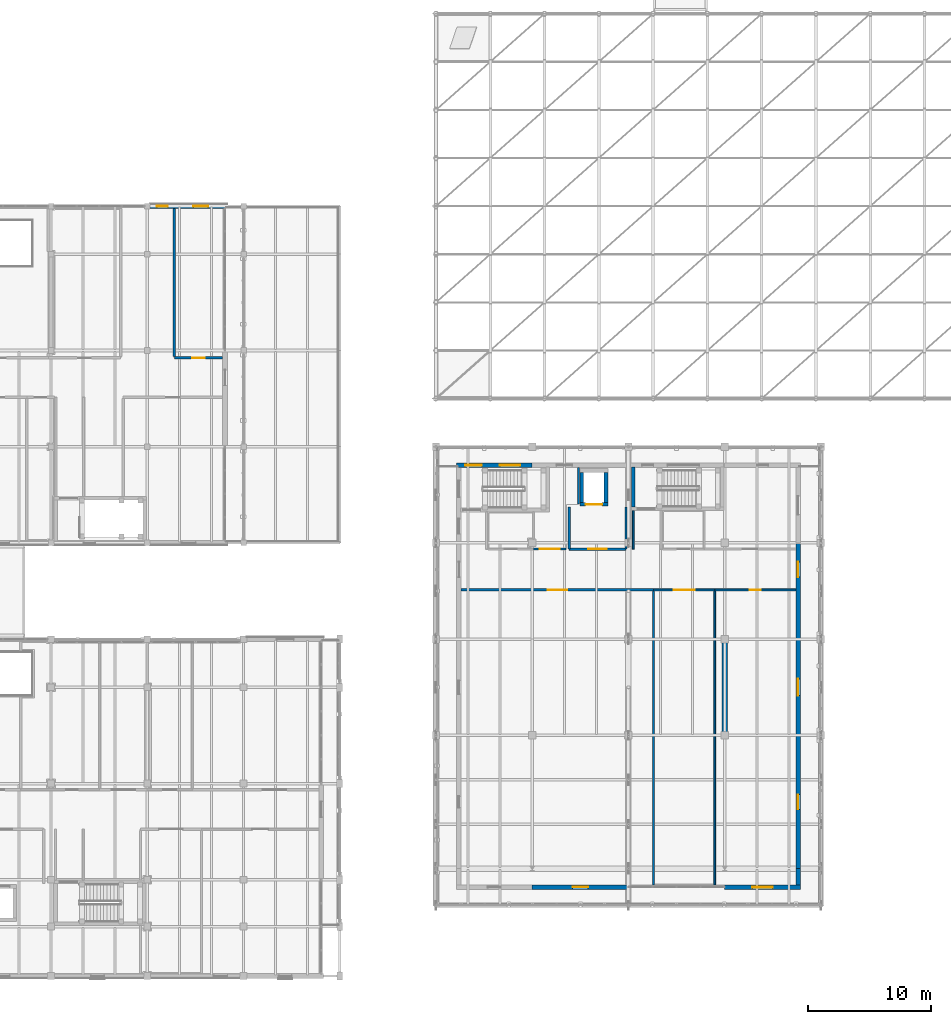
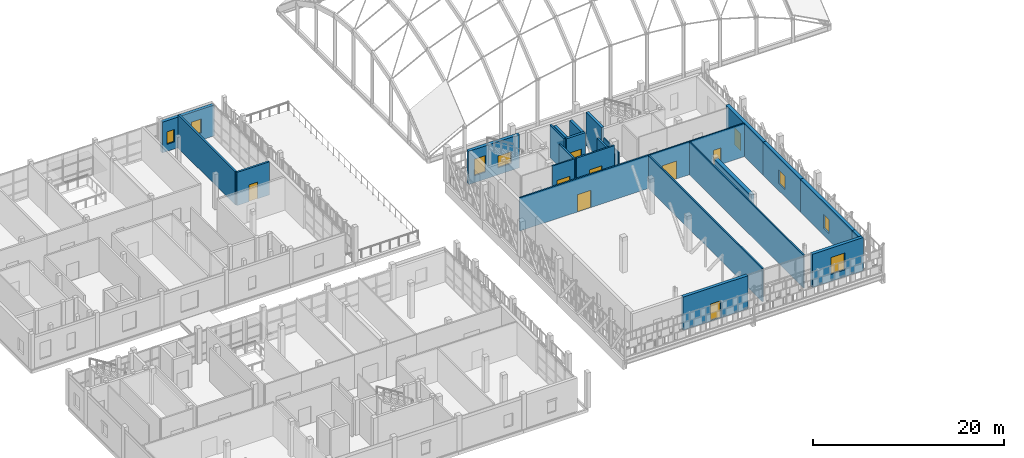
# One storey, part 95 of 119: 26 walls, 9 doors, 7 windows, 16 openings.
"""IFC4 building model written with IfcOpenShell, lengths in metres."""

from ifc_helpers import new_model, si_unit, direction, frame, frame_2d, origin, place, context, subcontext, project, spatial, rectangle, extrude, material, layer, layer_set, type_object, element, fill, save


model = new_model("IFC4")

# Units and contexts
model_context = context("Model", 3, precision=1e-05, world=origin(), true_north=direction((0.0, 1.0)))
body_context = subcontext(model_context, "Body", "Model", "MODEL_VIEW")
ifc_project = project(units=[si_unit("LENGTHUNIT", "METRE"), si_unit("AREAUNIT", "SQUARE_METRE"), si_unit("VOLUMEUNIT", "CUBIC_METRE"), si_unit("PLANEANGLEUNIT", "RADIAN"), si_unit("MASSUNIT", "GRAM", prefix="KILO")], contexts=[model_context])

# Site, building, storey
site_placement = place(None, origin())
site = spatial("IfcSite", under=ifc_project, at=site_placement, CompositionType="ELEMENT")
building_placement = place(site_placement, origin())
building = spatial("IfcBuilding", under=site, at=building_placement, Name="Celorna Specialist Clinic", CompositionType="ELEMENT")
storey_placement = place(building_placement, frame((0.0, 0.0, 9.60009765625)))
storey = spatial("IfcBuildingStorey", under=building, at=storey_placement, Name="L02", CompositionType="ELEMENT", Elevation=9.60009765625)

# Wall
ifc_material_1 = material(Name="Concrete C40/50", Category="concrete")
ifc_layer_1 = layer(ifc_material_1, 0.449951171875, Name="Concrete C40/50")
ifc_layer_set_1 = layer_set([ifc_layer_1], Name="Concrete C40/50")
wall_type_1 = type_object("IfcWallType", Name="WT-04", PredefinedType="SHEAR", material=ifc_layer_set_1)
wall_1_placement = place(storey_placement, frame((78.0, 19.64990234375, 0.0), z_axis=(0.0, 0.0, 1.0), x_axis=(0.0, 1.0, 0.0)))
element("IfcWall", 1, at=wall_1_placement, inside=storey, type_object=wall_type_1, Name="Structural RC shear wall WT-04 V6 L02", PredefinedType="SHEAR", context=body_context, shape_type="SweptSolid", body=[
    extrude(rectangle(XDim=7.5, YDim=0.449951171875, at=frame_2d((3.75, 0.0))), origin(), (0.0, 0.0, 1.0), 4.239990234375),
])

# Wall, openings, windows
ifc_material_2 = material(Name="Terracotta masonry with insulated cavity", Category="masonry")
ifc_layer_2 = layer(ifc_material_2, 0.3798828125, Name="Terracotta masonry with insulated cavity")
ifc_layer_set_2 = layer_set([ifc_layer_2], Name="Terracotta masonry with insulated cavity")
wall_type_2 = type_object("IfcWallType", Name="WT-06", PredefinedType="STANDARD", material=ifc_layer_set_2)
wall_2_placement = place(storey_placement, frame((31.425048828125, 62.39990234375, 0.0), z_axis=(0.0, 0.0, 1.0), x_axis=(1.0, 0.0, 0.0)))
wall_2 = element("IfcWall", 2, at=wall_2_placement, inside=storey, type_object=wall_type_2, Name="External facade wall WT-06 #135", PredefinedType="STANDARD", context=body_context, shape_type="SweptSolid", body=[
    extrude(rectangle(XDim=6.264892578125, YDim=0.3798828125, at=frame_2d((3.13232421875, 0.0))), origin(), (0.0, 0.0, 1.0), 3.9248046875),
])
opening_1_placement = place(wall_2_placement, frame((0.54248046875, 0.0, 0.89990234375)))
opening_1 = element("IfcOpeningElement", 3, at=opening_1_placement, cuts=wall_2, Name="Opening WN-01", PredefinedType="OPENING", context=body_context, shape_type="SweptSolid", body=[
    extrude(rectangle(XDim=0.89990234375, YDim=1.60009765625, at=frame_2d((0.449951171875, 0.800048828125))), frame((0.0, 0.199951171875, 0.0), z_axis=(0.0, -1.0, 0.0), x_axis=(1.0, 0.0, 0.0)), (0.0, 0.0, 1.0), 0.39990234375),
])
opening_2_placement = place(wall_2_placement, frame((3.5048828125, 0.0, 0.89990234375)))
opening_2 = element("IfcOpeningElement", 4, at=opening_2_placement, cuts=wall_2, Name="Opening WN-05", PredefinedType="OPENING", context=body_context, shape_type="SweptSolid", body=[
    extrude(rectangle(XDim=1.199951171875, YDim=1.800048828125, at=frame_2d((0.60009765625, 0.89990234375))), frame((0.0, 0.199951171875, 0.0), z_axis=(0.0, -1.0, 0.0), x_axis=(1.0, 0.0, 0.0)), (0.0, 0.0, 1.0), 0.39990234375),
])
ifc_material_3 = material(Name="Thermally broken aluminium triple-glazed window", Category="aluminium")
window_type_1 = type_object("IfcWindowType", Name="WN-01", PartitioningType="SINGLE_PANEL", PredefinedType="WINDOW", material=ifc_material_3)
window_1_placement = place(opening_1_placement, origin())
window_1 = element("IfcWindow", 5, at=window_1_placement, inside=storey, type_object=window_type_1, Name="Facade window WN-01 #45", OverallHeight=1.60009765625, OverallWidth=0.89990234375, PartitioningType="SINGLE_PANEL", PredefinedType="WINDOW", context=body_context, shape_type="SweptSolid", body=[
    extrude(rectangle(XDim=0.89990234375, YDim=1.60009765625, at=frame_2d((0.449951171875, 0.800048828125))), frame((0.0, 0.030029296875, 0.0), z_axis=(0.0, -1.0, 0.0), x_axis=(1.0, 0.0, 0.0)), (0.0, 0.0, 1.0), 0.06005859375),
])
fill(opening_1, window_1)
window_type_2 = type_object("IfcWindowType", Name="WN-05", PartitioningType="SINGLE_PANEL", PredefinedType="WINDOW", material=ifc_material_3)
window_2_placement = place(opening_2_placement, origin())
window_2 = element("IfcWindow", 6, at=window_2_placement, inside=storey, type_object=window_type_2, Name="Facade window WN-05 #46", OverallHeight=1.800048828125, OverallWidth=1.199951171875, PartitioningType="SINGLE_PANEL", PredefinedType="WINDOW", context=body_context, shape_type="SweptSolid", body=[
    extrude(rectangle(XDim=1.199951171875, YDim=1.800048828125, at=frame_2d((0.60009765625, 0.89990234375))), frame((0.0, 0.030029296875, 0.0), z_axis=(0.0, -1.0, 0.0), x_axis=(1.0, 0.0, 0.0)), (0.0, 0.0, 1.0), 0.06005859375),
])
fill(opening_2, window_2)

# Wall, opening, door
wall_3_placement = place(storey_placement, frame((70.199951171875, 7.199951171875, 0.0), z_axis=(0.0, 0.0, 1.0), x_axis=(-1.0, 0.0, 0.0)))
wall_3 = element("IfcWall", 7, at=wall_3_placement, inside=storey, type_object=wall_type_2, Name="External facade wall WT-06 #392", PredefinedType="STANDARD", context=body_context, shape_type="SweptSolid", body=[
    extrude(rectangle(XDim=7.800048828125, YDim=0.3798828125, at=frame_2d((3.89990234375, 0.0))), origin(), (0.0, 0.0, 1.0), 4.239990234375),
])
opening_3_placement = place(wall_3_placement, frame((3.27490234375, 0.0, 0.0)))
opening_3 = element("IfcOpeningElement", 8, at=opening_3_placement, cuts=wall_3, Name="Opening DR-13", PredefinedType="OPENING", context=body_context, shape_type="SweptSolid", body=[
    extrude(rectangle(XDim=1.25, YDim=2.199951171875, at=frame_2d((0.625, 1.10009765625))), frame((0.0, 0.199951171875, 0.0), z_axis=(0.0, -1.0, 0.0), x_axis=(1.0, 0.0, 0.0)), (0.0, 0.0, 1.0), 0.39990234375),
])
ifc_material_4 = material(Name="Thermally broken glazed terrace door")
door_type_1 = type_object("IfcDoorType", Name="DR-13", OperationType="NOTDEFINED", PredefinedType="DOOR", material=ifc_material_4)
door_1_placement = place(opening_3_placement, frame((1.25, 0.0, 0.0), z_axis=(0.0, 0.0, 1.0), x_axis=(-1.0, 0.0, 0.0)))
door_1 = element("IfcDoor", 9, at=door_1_placement, inside=storey, type_object=door_type_1, Name="Terrace access door TER-V6-L02", OperationType="SINGLE_SWING_RIGHT", OverallHeight=2.199951171875, OverallWidth=1.25, PredefinedType="DOOR", context=body_context, shape_type="SweptSolid", body=[
    extrude(rectangle(XDim=1.25, YDim=2.199951171875, at=frame_2d((0.625, 1.10009765625))), frame((0.0, 0.02490234375, 0.0), z_axis=(0.0, -1.0, 0.0), x_axis=(1.0, 0.0, 0.0)), (0.0, 0.0, 1.0), 0.050048828125),
])
fill(opening_3, door_1)

# Wall, opening, window
wall_4_placement = place(storey_placement, frame((84.139892578125, 7.199951171875, 0.0), z_axis=(0.0, 0.0, 1.0), x_axis=(-1.0, 0.0, 0.0)))
wall_4 = element("IfcWall", 10, at=wall_4_placement, inside=storey, type_object=wall_type_2, Name="External facade wall WT-06 #393", PredefinedType="STANDARD", context=body_context, shape_type="SweptSolid", body=[
    extrude(rectangle(XDim=6.139892578125, YDim=0.3798828125, at=frame_2d((3.06982421875, 0.0))), origin(), (0.0, 0.0, 1.0), 4.239990234375),
])
opening_4_placement = place(wall_4_placement, frame((2.2451171875, 0.0, 0.89990234375)))
opening_4 = element("IfcOpeningElement", 11, at=opening_4_placement, cuts=wall_4, Name="Opening WN-25", PredefinedType="OPENING", context=body_context, shape_type="SweptSolid", body=[
    extrude(rectangle(XDim=1.64990234375, YDim=2.14990234375, at=frame_2d((0.824951171875, 1.074951171875))), frame((0.0, 0.199951171875, 0.0), z_axis=(0.0, -1.0, 0.0), x_axis=(1.0, 0.0, 0.0)), (0.0, 0.0, 1.0), 0.39990234375),
])
window_type_3 = type_object("IfcWindowType", Name="WN-25", PartitioningType="SINGLE_PANEL", PredefinedType="WINDOW", material=ifc_material_3)
window_3_placement = place(opening_4_placement, origin())
window_3 = element("IfcWindow", 12, at=window_3_placement, inside=storey, type_object=window_type_3, Name="Facade window WN-25 #255", OverallHeight=2.14990234375, OverallWidth=1.64990234375, PartitioningType="SINGLE_PANEL", PredefinedType="WINDOW", context=body_context, shape_type="SweptSolid", body=[
    extrude(rectangle(XDim=1.64990234375, YDim=2.14990234375, at=frame_2d((0.824951171875, 1.074951171875))), frame((0.0, 0.030029296875, 0.0), z_axis=(0.0, -1.0, 0.0), x_axis=(1.0, 0.0, 0.0)), (0.0, 0.0, 1.0), 0.06005859375),
])
fill(opening_4, window_3)

# Wall, openings, windows
wall_5_placement = place(storey_placement, frame((56.260009765625, 41.39990234375, 0.0), z_axis=(0.0, 0.0, 1.0), x_axis=(1.0, 0.0, 0.0)))
wall_5 = element("IfcWall", 13, at=wall_5_placement, inside=storey, type_object=wall_type_2, Name="External facade wall WT-06 #394", PredefinedType="STANDARD", context=body_context, shape_type="SweptSolid", body=[
    extrude(rectangle(XDim=6.139892578125, YDim=0.3798828125, at=frame_2d((3.06982421875, 0.0))), origin(), (0.0, 0.0, 1.0), 4.239990234375),
])
opening_5_placement = place(wall_5_placement, frame((0.699951171875, 0.0, 0.89990234375)))
opening_5 = element("IfcOpeningElement", 14, at=opening_5_placement, cuts=wall_5, Name="Opening WN-23", PredefinedType="OPENING", context=body_context, shape_type="SweptSolid", body=[
    extrude(rectangle(XDim=1.35009765625, YDim=2.10009765625, at=frame_2d((0.675048828125, 1.050048828125))), frame((0.0, 0.199951171875, 0.0), z_axis=(0.0, -1.0, 0.0), x_axis=(1.0, 0.0, 0.0)), (0.0, 0.0, 1.0), 0.39990234375),
])
opening_6_placement = place(wall_5_placement, frame((3.514892578125, 0.0, 0.89990234375)))
opening_6 = element("IfcOpeningElement", 15, at=opening_6_placement, cuts=wall_5, Name="Opening WN-24", PredefinedType="OPENING", context=body_context, shape_type="SweptSolid", body=[
    extrude(rectangle(XDim=1.64990234375, YDim=1.5, at=frame_2d((0.824951171875, 0.75))), frame((0.0, 0.199951171875, 0.0), z_axis=(0.0, -1.0, 0.0), x_axis=(1.0, 0.0, 0.0)), (0.0, 0.0, 1.0), 0.39990234375),
])
window_type_4 = type_object("IfcWindowType", Name="WN-23", PartitioningType="SINGLE_PANEL", PredefinedType="WINDOW", material=ifc_material_3)
window_4_placement = place(opening_5_placement, origin())
window_4 = element("IfcWindow", 16, at=window_4_placement, inside=storey, type_object=window_type_4, Name="Facade window WN-23 #256", OverallHeight=2.10009765625, OverallWidth=1.35009765625, PartitioningType="SINGLE_PANEL", PredefinedType="WINDOW", context=body_context, shape_type="SweptSolid", body=[
    extrude(rectangle(XDim=1.35009765625, YDim=2.10009765625, at=frame_2d((0.675048828125, 1.050048828125))), frame((0.0, 0.030029296875, 0.0), z_axis=(0.0, -1.0, 0.0), x_axis=(1.0, 0.0, 0.0)), (0.0, 0.0, 1.0), 0.06005859375),
])
fill(opening_5, window_4)
window_type_5 = type_object("IfcWindowType", Name="WN-24", PartitioningType="SINGLE_PANEL", PredefinedType="WINDOW", material=ifc_material_3)
window_5_placement = place(opening_6_placement, origin())
window_5 = element("IfcWindow", 17, at=window_5_placement, inside=storey, type_object=window_type_5, Name="Facade window WN-24 #257", OverallHeight=1.5, OverallWidth=1.64990234375, PartitioningType="SINGLE_PANEL", PredefinedType="WINDOW", context=body_context, shape_type="SweptSolid", body=[
    extrude(rectangle(XDim=1.64990234375, YDim=1.5, at=frame_2d((0.824951171875, 0.75))), frame((0.0, 0.030029296875, 0.0), z_axis=(0.0, -1.0, 0.0), x_axis=(1.0, 0.0, 0.0)), (0.0, 0.0, 1.0), 0.06005859375),
])
fill(opening_6, window_5)

# Wall
wall_6_placement = place(storey_placement, frame((83.949951171875, 8.699951171875, 0.0), z_axis=(0.0, 0.0, 1.0), x_axis=(0.0, -1.0, 0.0)))
element("IfcWall", 18, at=wall_6_placement, inside=storey, type_object=wall_type_2, Name="External facade wall WT-06 #403", PredefinedType="STANDARD", context=body_context, shape_type="SweptSolid", body=[
    extrude(rectangle(XDim=1.31005859375, YDim=0.3798828125, at=frame_2d((0.655029296875, 0.0))), origin(), (0.0, 0.0, 1.0), 4.239990234375),
])

# Wall, opening, window
wall_7_placement = place(storey_placement, frame((83.949951171875, 19.5, 0.0), z_axis=(0.0, 0.0, 1.0), x_axis=(0.0, -1.0, 0.0)))
wall_7 = element("IfcWall", 19, at=wall_7_placement, inside=storey, type_object=wall_type_2, Name="External facade wall WT-06 #404", PredefinedType="STANDARD", context=body_context, shape_type="SweptSolid", body=[
    extrude(rectangle(XDim=10.800048828125, YDim=0.3798828125, at=frame_2d((5.39990234375, 0.0))), origin(), (0.0, 0.0, 1.0), 4.239990234375),
])
opening_7_placement = place(wall_7_placement, frame((4.800048828125, 0.0, 0.89990234375)))
opening_7 = element("IfcOpeningElement", 20, at=opening_7_placement, cuts=wall_7, Name="Opening WN-05", PredefinedType="OPENING", context=body_context, shape_type="SweptSolid", body=[
    extrude(rectangle(XDim=1.199951171875, YDim=1.800048828125, at=frame_2d((0.60009765625, 0.89990234375))), frame((0.0, 0.199951171875, 0.0), z_axis=(0.0, -1.0, 0.0), x_axis=(1.0, 0.0, 0.0)), (0.0, 0.0, 1.0), 0.39990234375),
])
window_6_placement = place(opening_7_placement, origin())
window_6 = element("IfcWindow", 21, at=window_6_placement, inside=storey, type_object=window_type_2, Name="Facade window WN-05 #265", OverallHeight=1.800048828125, OverallWidth=1.199951171875, PartitioningType="SINGLE_PANEL", PredefinedType="WINDOW", context=body_context, shape_type="SweptSolid", body=[
    extrude(rectangle(XDim=1.199951171875, YDim=1.800048828125, at=frame_2d((0.60009765625, 0.89990234375))), frame((0.0, 0.030029296875, 0.0), z_axis=(0.0, -1.0, 0.0), x_axis=(1.0, 0.0, 0.0)), (0.0, 0.0, 1.0), 0.06005859375),
])
fill(opening_7, window_6)

wall_8_placement = place(storey_placement, frame((83.949951171875, 27.300048828125, 0.0), z_axis=(0.0, 0.0, 1.0), x_axis=(0.0, -1.0, 0.0)))
wall_8 = element("IfcWall", 22, at=wall_8_placement, inside=storey, type_object=wall_type_2, Name="External facade wall WT-06 #405", PredefinedType="STANDARD", context=body_context, shape_type="SweptSolid", body=[
    extrude(rectangle(XDim=7.800048828125, YDim=0.3798828125, at=frame_2d((3.89990234375, 0.0))), origin(), (0.0, 0.0, 1.0), 4.239990234375),
])
opening_8_placement = place(wall_8_placement, frame((3.22509765625, 0.0, 0.89990234375)))
opening_8 = element("IfcOpeningElement", 23, at=opening_8_placement, cuts=wall_8, Name="Opening WN-07", PredefinedType="OPENING", context=body_context, shape_type="SweptSolid", body=[
    extrude(rectangle(XDim=1.35009765625, YDim=1.75, at=frame_2d((0.675048828125, 0.875))), frame((0.0, 0.199951171875, 0.0), z_axis=(0.0, -1.0, 0.0), x_axis=(1.0, 0.0, 0.0)), (0.0, 0.0, 1.0), 0.39990234375),
])
window_type_6 = type_object("IfcWindowType", Name="WN-07", PartitioningType="SINGLE_PANEL", PredefinedType="WINDOW", material=ifc_material_3)
window_7_placement = place(opening_8_placement, origin())
window_7 = element("IfcWindow", 24, at=window_7_placement, inside=storey, type_object=window_type_6, Name="Facade window WN-07 #266", OverallHeight=1.75, OverallWidth=1.35009765625, PartitioningType="SINGLE_PANEL", PredefinedType="WINDOW", context=body_context, shape_type="SweptSolid", body=[
    extrude(rectangle(XDim=1.35009765625, YDim=1.75, at=frame_2d((0.675048828125, 0.875))), frame((0.0, 0.030029296875, 0.0), z_axis=(0.0, -1.0, 0.0), x_axis=(1.0, 0.0, 0.0)), (0.0, 0.0, 1.0), 0.06005859375),
])
fill(opening_8, window_7)

# Wall, opening, door
wall_9_placement = place(storey_placement, frame((83.949951171875, 35.10009765625, 0.0), z_axis=(0.0, 0.0, 1.0), x_axis=(0.0, -1.0, 0.0)))
wall_9 = element("IfcWall", 25, at=wall_9_placement, inside=storey, type_object=wall_type_2, Name="External facade wall WT-06 #406", PredefinedType="STANDARD", context=body_context, shape_type="SweptSolid", body=[
    extrude(rectangle(XDim=7.800048828125, YDim=0.3798828125, at=frame_2d((3.89990234375, 0.0))), origin(), (0.0, 0.0, 1.0), 4.239990234375),
])
opening_9_placement = place(wall_9_placement, frame((1.52490234375, 0.0, 0.0)))
opening_9 = element("IfcOpeningElement", 26, at=opening_9_placement, cuts=wall_9, Name="Opening DR-13", PredefinedType="OPENING", context=body_context, shape_type="SweptSolid", body=[
    extrude(rectangle(XDim=1.25, YDim=2.199951171875, at=frame_2d((0.625, 1.10009765625))), frame((0.0, 0.199951171875, 0.0), z_axis=(0.0, -1.0, 0.0), x_axis=(1.0, 0.0, 0.0)), (0.0, 0.0, 1.0), 0.39990234375),
])
door_2_placement = place(opening_9_placement, frame((1.25, 0.0, 0.0), z_axis=(0.0, 0.0, 1.0), x_axis=(-1.0, 0.0, 0.0)))
door_2 = element("IfcDoor", 27, at=door_2_placement, inside=storey, type_object=door_type_1, Name="Veranda access door TER-V6-L02 east", OperationType="SINGLE_SWING_LEFT", OverallHeight=2.199951171875, OverallWidth=1.25, PredefinedType="DOOR", context=body_context, shape_type="SweptSolid", body=[
    extrude(rectangle(XDim=1.25, YDim=2.199951171875, at=frame_2d((0.625, 1.10009765625))), frame((0.0, 0.02490234375, 0.0), z_axis=(0.0, -1.0, 0.0), x_axis=(1.0, 0.0, 0.0)), (0.0, 0.0, 1.0), 0.050048828125),
])
fill(opening_9, door_2)

# Wall
ifc_material_5 = material(Name="Concrete C35/45", Category="concrete")
ifc_layer_3 = layer(ifc_material_5, 0.300048828125, Name="Concrete C35/45")
ifc_layer_set_3 = layer_set([ifc_layer_3], Name="Concrete C35/45")
wall_type_3 = type_object("IfcWallType", Name="WT-08", PredefinedType="SHEAR", material=ifc_layer_set_3)
wall_10_placement = place(storey_placement, frame((70.590087890625, 41.25, 0.0), z_axis=(0.0, 0.0, 1.0), x_axis=(0.0, -1.0, 0.0)))
element("IfcWall", 28, at=wall_10_placement, inside=storey, type_object=wall_type_3, Name="Stair ST-09 RC core wall L02 west", PredefinedType="SHEAR", context=body_context, shape_type="SweptSolid", body=[
    extrude(rectangle(XDim=3.22998046875, YDim=0.300048828125, at=frame_2d((1.614990234375, 0.0))), origin(), (0.0, 0.0, 1.0), 4.239990234375),
])

# Wall, opening, door
wall_11_placement = place(storey_placement, frame((66.27490234375, 38.22509765625, 0.0), z_axis=(0.0, 0.0, 1.0), x_axis=(1.0, 0.0, 0.0)))
wall_11 = element("IfcWall", 29, at=wall_11_placement, inside=storey, type_object=wall_type_3, Name="Lift LF-07 RC shaft wall L02", PredefinedType="SHEAR", context=body_context, shape_type="SweptSolid", body=[
    extrude(rectangle(XDim=2.25, YDim=0.300048828125, at=frame_2d((1.125, 0.0))), origin(), (0.0, 0.0, 1.0), 4.239990234375),
])
opening_10_placement = place(wall_11_placement, frame((0.449951171875, 0.0, 0.0)))
opening_10 = element("IfcOpeningElement", 30, at=opening_10_placement, cuts=wall_11, Name="Opening LD-02", PredefinedType="OPENING", context=body_context, shape_type="SweptSolid", body=[
    extrude(rectangle(XDim=1.35009765625, YDim=2.300048828125, at=frame_2d((0.675048828125, 1.14990234375))), frame((0.0, 0.159912109375, 0.0), z_axis=(0.0, -1.0, 0.0), x_axis=(1.0, 0.0, 0.0)), (0.0, 0.0, 1.0), 0.320068359375),
])
ifc_material_6 = material(Name="Firefighting stretcher lift landing sliding door")
door_type_2 = type_object("IfcDoorType", Name="LD-02", OperationType="DOUBLE_DOOR_SLIDING", PredefinedType="DOOR", material=ifc_material_6)
door_3_placement = place(opening_10_placement, origin())
door_3 = element("IfcDoor", 31, at=door_3_placement, inside=storey, type_object=door_type_2, Name="Lift LF-07 sliding landing door L02", OperationType="DOUBLE_DOOR_SLIDING", OverallHeight=2.300048828125, OverallWidth=1.35009765625, PredefinedType="DOOR", context=body_context, shape_type="SweptSolid", body=[
    extrude(rectangle(XDim=1.35009765625, YDim=2.300048828125, at=frame_2d((0.675048828125, 1.14990234375))), frame((0.0, 0.02490234375, 0.0), z_axis=(0.0, -1.0, 0.0), x_axis=(1.0, 0.0, 0.0)), (0.0, 0.0, 1.0), 0.050048828125),
])
fill(opening_10, door_3)

# Walls
for number, where, z_axis, x_axis, name in (
    (32, (66.425048828125, 40.824951171875, 0.0), (0.0, 0.0, 1.0), (0.0, -1.0, 0.0), "Lift LF-07 RC shaft wall L02"),
    (33, (68.375, 38.375, 0.0), (0.0, 0.0, 1.0), (0.0, 1.0, 0.0), "Lift LF-07 RC shaft wall L02"),
):
    element("IfcWall", number, at=place(storey_placement, frame(where, z_axis=z_axis, x_axis=x_axis)), inside=storey, type_object=wall_type_3, Name=name, PredefinedType="SHEAR", context=body_context, shape_type="SweptSolid", body=[
        extrude(rectangle(XDim=2.449951171875, YDim=0.300048828125, at=frame_2d((1.22509765625, 0.0))), origin(), (0.0, 0.0, 1.0), 4.239990234375),
    ])

# Wall, opening, door
ifc_material_7 = material(Name="Lead-lined gypsum and masonry partition", Category="masonry")
ifc_layer_4 = layer(ifc_material_7, 0.219970703125, Name="Lead-lined gypsum and masonry partition")
ifc_layer_set_4 = layer_set([ifc_layer_4], Name="Lead-lined gypsum and masonry partition")
wall_type_4 = type_object("IfcWallType", Name="WT-11", PredefinedType="PARTITIONING", material=ifc_layer_set_4)
wall_12_placement = place(storey_placement, frame((33.389892578125, 50.10009765625, 0.0), z_axis=(0.0, 0.0, 1.0), x_axis=(1.0, 0.0, 0.0)))
wall_12 = element("IfcWall", 34, at=wall_12_placement, inside=storey, type_object=wall_type_4, Name="Interior partition WT-11 L02-021", PredefinedType="PARTITIONING", context=body_context, shape_type="SweptSolid", body=[
    extrude(rectangle(XDim=3.920166015625, YDim=0.219970703125, at=frame_2d((1.9599609375, 0.0))), origin(), (0.0, 0.0, 1.0), 4.239990234375),
])
opening_11_placement = place(wall_12_placement, frame((1.43505859375, 0.0, 0.0)))
opening_11 = element("IfcOpeningElement", 35, at=opening_11_placement, cuts=wall_12, Name="Opening DR-05", PredefinedType="OPENING", context=body_context, shape_type="SweptSolid", body=[
    extrude(rectangle(XDim=1.050048828125, YDim=2.14990234375, at=frame_2d((0.52490234375, 1.074951171875))), frame((0.0, 0.119873046875, 0.0), z_axis=(0.0, -1.0, 0.0), x_axis=(1.0, 0.0, 0.0)), (0.0, 0.0, 1.0), 0.239990234375),
])
ifc_material_8 = material(Name="Timber examination room door", Category="wood")
door_type_3 = type_object("IfcDoorType", Name="DR-05", OperationType="NOTDEFINED", PredefinedType="DOOR", material=ifc_material_8)
door_4_placement = place(opening_11_placement, origin())
door_4 = element("IfcDoor", 36, at=door_4_placement, inside=storey, type_object=door_type_3, Name="Shielded Patient Uptake Bay door L02-021", OperationType="SINGLE_SWING_RIGHT", OverallHeight=2.14990234375, OverallWidth=1.050048828125, PredefinedType="DOOR", context=body_context, shape_type="SweptSolid", body=[
    extrude(rectangle(XDim=1.050048828125, YDim=2.14990234375, at=frame_2d((0.52490234375, 1.074951171875))), frame((0.0, 0.02490234375, 0.0), z_axis=(0.0, -1.0, 0.0), x_axis=(1.0, 0.0, 0.0)), (0.0, 0.0, 1.0), 0.050048828125),
])
fill(opening_11, door_4)

# Wall
wall_13_placement = place(storey_placement, frame((33.389892578125, 50.2099609375, 0.0), z_axis=(0.0, 0.0, 1.0), x_axis=(0.0, 1.0, 0.0)))
element("IfcWall", 37, at=wall_13_placement, inside=storey, type_object=wall_type_4, Name="Room dividing partition WT-11 L02-021", PredefinedType="PARTITIONING", context=body_context, shape_type="SweptSolid", body=[
    extrude(rectangle(XDim=12.0, YDim=0.219970703125, at=frame_2d((6.0, 0.0))), origin(), (0.0, 0.0, 1.0), 4.239990234375),
])

# Wall, opening, door
ifc_layer_5 = layer(ifc_material_5, 0.199951171875, Name="Concrete C35/45")
ifc_layer_set_5 = layer_set([ifc_layer_5], Name="Concrete C35/45")
wall_type_5 = type_object("IfcWallType", Name="WT-12", PredefinedType="SOLIDWALL", material=ifc_layer_set_5)
wall_14_placement = place(storey_placement, frame((65.39990234375, 34.60009765625, 0.0), z_axis=(0.0, 0.0, 1.0), x_axis=(1.0, 0.0, 0.0)))
wall_14 = element("IfcWall", 38, at=wall_14_placement, inside=storey, type_object=wall_type_5, Name="Firefighting lobby wall LF-07 L02", PredefinedType="SOLIDWALL", context=body_context, shape_type="SweptSolid", body=[
    extrude(rectangle(XDim=4.60009765625, YDim=0.199951171875, at=frame_2d((2.300048828125, 0.0))), origin(), (0.0, 0.0, 1.0), 4.239990234375),
])
opening_12_placement = place(wall_14_placement, frame((1.550048828125, 0.0, 0.0)))
opening_12 = element("IfcOpeningElement", 39, at=opening_12_placement, cuts=wall_14, Name="Opening DR-11", PredefinedType="OPENING", context=body_context, shape_type="SweptSolid", body=[
    extrude(rectangle(XDim=1.5, YDim=2.199951171875, at=frame_2d((0.75, 1.10009765625))), frame((0.0, 0.10986328125, 0.0), z_axis=(0.0, -1.0, 0.0), x_axis=(1.0, 0.0, 0.0)), (0.0, 0.0, 1.0), 0.219970703125),
])
ifc_material_9 = material(Name="Firefighting lobby double fire door")
door_type_4 = type_object("IfcDoorType", Name="DR-11", OperationType="DOUBLE_DOOR_SINGLE_SWING", PredefinedType="DOOR", material=ifc_material_9)
door_5_placement = place(opening_12_placement, origin())
door_5 = element("IfcDoor", 40, at=door_5_placement, inside=storey, type_object=door_type_4, Name="Firefighting lobby fire door LF-07 L02", OperationType="DOUBLE_DOOR_SINGLE_SWING", OverallHeight=2.199951171875, OverallWidth=1.5, PredefinedType="DOOR", context=body_context, shape_type="SweptSolid", body=[
    extrude(rectangle(XDim=1.5, YDim=2.199951171875, at=frame_2d((0.75, 1.10009765625))), frame((0.0, 0.02490234375, 0.0), z_axis=(0.0, -1.0, 0.0), x_axis=(1.0, 0.0, 0.0)), (0.0, 0.0, 1.0), 0.050048828125),
])
fill(opening_12, door_5)

# Walls
wall_15_placement = place(storey_placement, frame((65.39990234375, 38.0, 0.0), z_axis=(0.0, 0.0, 1.0), x_axis=(0.0, -1.0, 0.0)))
element("IfcWall", 41, at=wall_15_placement, inside=storey, type_object=wall_type_5, Name="Firefighting lobby wall LF-07 L02", PredefinedType="SOLIDWALL", context=body_context, shape_type="SweptSolid", body=[
    extrude(rectangle(XDim=3.39990234375, YDim=0.199951171875, at=frame_2d((1.699951171875, 0.0))), origin(), (0.0, 0.0, 1.0), 3.93994140625),
])
wall_16_placement = place(storey_placement, frame((70.0, 34.60009765625, 0.0), z_axis=(0.0, 0.0, 1.0), x_axis=(0.0, 1.0, 0.0)))
element("IfcWall", 42, at=wall_16_placement, inside=storey, type_object=wall_type_5, Name="Firefighting lobby wall LF-07 L02", PredefinedType="SOLIDWALL", context=body_context, shape_type="SweptSolid", body=[
    extrude(rectangle(XDim=3.39990234375, YDim=0.199951171875, at=frame_2d((1.699951171875, 0.0))), origin(), (0.0, 0.0, 1.0), 3.08984375),
])

# Wall, opening, door
ifc_material_10 = material(Name="Acoustic masonry clinical partition", Category="masonry")
ifc_layer_6 = layer(ifc_material_10, 0.179931640625, Name="Acoustic masonry clinical partition")
ifc_layer_set_6 = layer_set([ifc_layer_6], Name="Acoustic masonry clinical partition")
wall_type_6 = type_object("IfcWallType", Name="WT-13", PredefinedType="PARTITIONING", material=ifc_layer_set_6)
wall_17_placement = place(storey_placement, frame((72.239990234375, 31.300048828125, 0.0), z_axis=(0.0, 0.0, 1.0), x_axis=(-1.0, 0.0, 0.0)))
wall_17 = element("IfcWall", 43, at=wall_17_placement, inside=storey, type_object=wall_type_6, Name="Interior partition WT-13 L02-065", PredefinedType="PARTITIONING", context=body_context, shape_type="SweptSolid", body=[
    extrude(rectangle(XDim=15.60009765625, YDim=0.179931640625, at=frame_2d((7.800048828125, 0.0))), origin(), (0.0, 0.0, 1.0), 4.239990234375),
])
opening_13_placement = place(wall_17_placement, frame((7.0, 0.0, 0.0)))
opening_13 = element("IfcOpeningElement", 44, at=opening_13_placement, cuts=wall_17, Name="Opening DR-12", PredefinedType="OPENING", context=body_context, shape_type="SweptSolid", body=[
    extrude(rectangle(XDim=1.60009765625, YDim=2.199951171875, at=frame_2d((0.800048828125, 1.10009765625))), frame((0.0, 0.099853515625, 0.0), z_axis=(0.0, -1.0, 0.0), x_axis=(1.0, 0.0, 0.0)), (0.0, 0.0, 1.0), 0.199951171875),
])
ifc_material_11 = material(Name="Corridor cross-compartment pair door")
door_type_5 = type_object("IfcDoorType", Name="DR-12", OperationType="DOUBLE_DOOR_SINGLE_SWING", PredefinedType="DOOR", material=ifc_material_11)
door_6_placement = place(opening_13_placement, origin())
door_6 = element("IfcDoor", 45, at=door_6_placement, inside=storey, type_object=door_type_5, Name="Clinical Lecture Theatre door L02-065", OperationType="DOUBLE_DOOR_SINGLE_SWING", OverallHeight=2.199951171875, OverallWidth=1.60009765625, PredefinedType="DOOR", context=body_context, shape_type="SweptSolid", body=[
    extrude(rectangle(XDim=1.60009765625, YDim=2.199951171875, at=frame_2d((0.800048828125, 1.10009765625))), frame((0.0, 0.02490234375, 0.0), z_axis=(0.0, -1.0, 0.0), x_axis=(1.0, 0.0, 0.0)), (0.0, 0.0, 1.0), 0.050048828125),
])
fill(opening_13, door_6)

wall_18_placement = place(storey_placement, frame((62.489990234375, 34.60009765625, 0.0), z_axis=(0.0, 0.0, 1.0), x_axis=(1.0, 0.0, 0.0)))
wall_18 = element("IfcWall", 46, at=wall_18_placement, inside=storey, type_object=wall_type_6, Name="Interior partition WT-13 L02-069", PredefinedType="PARTITIONING", context=body_context, shape_type="SweptSolid", body=[
    extrude(rectangle(XDim=2.659912109375, YDim=0.179931640625, at=frame_2d((1.330078125, 0.0))), origin(), (0.0, 0.0, 1.0), 4.239990234375),
])
opening_14_placement = place(wall_18_placement, frame((0.52490234375, 0.0, 0.0)))
opening_14 = element("IfcOpeningElement", 47, at=opening_14_placement, cuts=wall_18, Name="Opening DR-12", PredefinedType="OPENING", context=body_context, shape_type="SweptSolid", body=[
    extrude(rectangle(XDim=1.60009765625, YDim=2.199951171875, at=frame_2d((0.800048828125, 1.10009765625))), frame((0.0, 0.099853515625, 0.0), z_axis=(0.0, -1.0, 0.0), x_axis=(1.0, 0.0, 0.0)), (0.0, 0.0, 1.0), 0.199951171875),
])
door_7_placement = place(opening_14_placement, origin())
door_7 = element("IfcDoor", 48, at=door_7_placement, inside=storey, type_object=door_type_5, Name="Clinical Lecture Theatre door L02-069", OperationType="DOUBLE_DOOR_SINGLE_SWING", OverallHeight=2.199951171875, OverallWidth=1.60009765625, PredefinedType="DOOR", context=body_context, shape_type="SweptSolid", body=[
    extrude(rectangle(XDim=1.60009765625, YDim=2.199951171875, at=frame_2d((0.800048828125, 1.10009765625))), frame((0.0, 0.02490234375, 0.0), z_axis=(0.0, -1.0, 0.0), x_axis=(1.0, 0.0, 0.0)), (0.0, 0.0, 1.0), 0.050048828125),
])
fill(opening_14, door_7)

# Walls
wall_19_placement = place(storey_placement, frame((72.239990234375, 7.389892578125, 0.0), z_axis=(0.0, 0.0, 1.0), x_axis=(0.0, 1.0, 0.0)))
element("IfcWall", 49, at=wall_19_placement, inside=storey, type_object=wall_type_6, Name="Room dividing partition WT-13 L02-065", PredefinedType="PARTITIONING", context=body_context, shape_type="SweptSolid", body=[
    extrude(rectangle(XDim=23.820068359375, YDim=0.179931640625, at=frame_2d((11.91015625, 0.0))), origin(), (0.0, 0.0, 1.0), 4.239990234375),
])
wall_20_placement = place(storey_placement, frame((66.139892578125, 38.25, 0.0), z_axis=(0.0, 0.0, 1.0), x_axis=(0.0, 1.0, 0.0)))
element("IfcWall", 50, at=wall_20_placement, inside=storey, type_object=wall_type_6, Name="Room dividing partition WT-13 L02-069", PredefinedType="PARTITIONING", context=body_context, shape_type="SweptSolid", body=[
    extrude(rectangle(XDim=2.9599609375, YDim=0.179931640625, at=frame_2d((1.47998046875, 0.0))), origin(), (0.0, 0.0, 1.0), 4.239990234375),
])
ifc_material_12 = material(Name="Fire-rated gypsum board partition")
ifc_layer_7 = layer(ifc_material_12, 0.14990234375, Name="Fire-rated gypsum board partition")
ifc_layer_set_7 = layer_set([ifc_layer_7], Name="Fire-rated gypsum board partition")
wall_type_7 = type_object("IfcWallType", Name="WT-14", PredefinedType="PARTITIONING", material=ifc_layer_set_7)
wall_21_placement = place(storey_placement, frame((70.590087890625, 34.60009765625, 0.0), z_axis=(0.0, 0.0, 1.0), x_axis=(0.0, 1.0, 0.0)))
element("IfcWall", 51, at=wall_21_placement, inside=storey, type_object=wall_type_7, Name="Corridor spur partition WT-14", PredefinedType="PARTITIONING", context=body_context, shape_type="SweptSolid", body=[
    extrude(rectangle(XDim=3.119873046875, YDim=0.14990234375, at=frame_2d((1.56005859375, 0.0))), origin(), (0.0, 0.0, 1.0), 3.08984375),
])

# Wall, opening, door
wall_22_placement = place(storey_placement, frame((77.18994140625, 31.300048828125, 0.0), z_axis=(0.0, 0.0, 1.0), x_axis=(-1.0, 0.0, 0.0)))
wall_22 = element("IfcWall", 52, at=wall_22_placement, inside=storey, type_object=wall_type_7, Name="Interior partition WT-14 L02-066", PredefinedType="PARTITIONING", context=body_context, shape_type="SweptSolid", body=[
    extrude(rectangle(XDim=4.949951171875, YDim=0.14990234375, at=frame_2d((2.47509765625, 0.0))), origin(), (0.0, 0.0, 1.0), 4.239990234375),
])
opening_15_placement = place(wall_22_placement, frame((1.614990234375, 0.0, 0.0)))
opening_15 = element("IfcOpeningElement", 53, at=opening_15_placement, cuts=wall_22, Name="Opening DR-24", PredefinedType="OPENING", context=body_context, shape_type="SweptSolid", body=[
    extrude(rectangle(XDim=1.719970703125, YDim=2.300048828125, at=frame_2d((0.85986328125, 1.14990234375))), frame((0.0, 0.0849609375, 0.0), z_axis=(0.0, -1.0, 0.0), x_axis=(1.0, 0.0, 0.0)), (0.0, 0.0, 1.0), 0.169921875),
])
ifc_material_13 = material(Name="Double leaf clinical waiting door")
door_type_6 = type_object("IfcDoorType", Name="DR-24", OperationType="DOUBLE_DOOR_SINGLE_SWING", PredefinedType="DOOR", material=ifc_material_13)
door_8_placement = place(opening_15_placement, origin())
door_8 = element("IfcDoor", 54, at=door_8_placement, inside=storey, type_object=door_type_6, Name="Surgical Simulation Laboratory door L02-066", OperationType="DOUBLE_DOOR_SINGLE_SWING", OverallHeight=2.300048828125, OverallWidth=1.719970703125, PredefinedType="DOOR", context=body_context, shape_type="SweptSolid", body=[
    extrude(rectangle(XDim=1.719970703125, YDim=2.300048828125, at=frame_2d((0.85986328125, 1.14990234375))), frame((0.0, 0.02490234375, 0.0), z_axis=(0.0, -1.0, 0.0), x_axis=(1.0, 0.0, 0.0)), (0.0, 0.0, 1.0), 0.050048828125),
])
fill(opening_15, door_8)

wall_23_placement = place(storey_placement, frame((83.760009765625, 31.300048828125, 0.0), z_axis=(0.0, 0.0, 1.0), x_axis=(-1.0, 0.0, 0.0)))
wall_23 = element("IfcWall", 55, at=wall_23_placement, inside=storey, type_object=wall_type_7, Name="Interior partition WT-14 L02-067", PredefinedType="PARTITIONING", context=body_context, shape_type="SweptSolid", body=[
    extrude(rectangle(XDim=6.570068359375, YDim=0.14990234375, at=frame_2d((3.28515625, 0.0))), origin(), (0.0, 0.0, 1.0), 4.239990234375),
])
opening_16_placement = place(wall_23_placement, frame((2.8349609375, 0.0, 0.0)))
opening_16 = element("IfcOpeningElement", 56, at=opening_16_placement, cuts=wall_23, Name="Opening DR-02", PredefinedType="OPENING", context=body_context, shape_type="SweptSolid", body=[
    extrude(rectangle(XDim=0.89990234375, YDim=2.10009765625, at=frame_2d((0.449951171875, 1.050048828125))), frame((0.0, 0.0849609375, 0.0), z_axis=(0.0, -1.0, 0.0), x_axis=(1.0, 0.0, 0.0)), (0.0, 0.0, 1.0), 0.169921875),
])
ifc_material_14 = material(Name="Timber acoustic clinical door", Category="wood")
door_type_7 = type_object("IfcDoorType", Name="DR-02", OperationType="NOTDEFINED", PredefinedType="DOOR", material=ifc_material_14)
door_9_placement = place(opening_16_placement, origin())
door_9 = element("IfcDoor", 57, at=door_9_placement, inside=storey, type_object=door_type_7, Name="Clinical Skills Training Room door L02-067", OperationType="SINGLE_SWING_RIGHT", OverallHeight=2.10009765625, OverallWidth=0.89990234375, PredefinedType="DOOR", context=body_context, shape_type="SweptSolid", body=[
    extrude(rectangle(XDim=0.89990234375, YDim=2.10009765625, at=frame_2d((0.449951171875, 1.050048828125))), frame((0.0, 0.02490234375, 0.0), z_axis=(0.0, -1.0, 0.0), x_axis=(1.0, 0.0, 0.0)), (0.0, 0.0, 1.0), 0.050048828125),
])
fill(opening_16, door_9)

# Wall
wall_24_placement = place(storey_placement, frame((77.18994140625, 7.389892578125, 0.0), z_axis=(0.0, 0.0, 1.0), x_axis=(0.0, 1.0, 0.0)))
element("IfcWall", 58, at=wall_24_placement, inside=storey, type_object=wall_type_7, Name="Room dividing partition WT-14 L02-066", PredefinedType="PARTITIONING", context=body_context, shape_type="SweptSolid", body=[
    extrude(rectangle(XDim=23.835205078125, YDim=0.14990234375, at=frame_2d((11.91748046875, 0.0))), origin(), (0.0, 0.0, 1.0), 4.239990234375),
])

save(model, "model.ifc")
